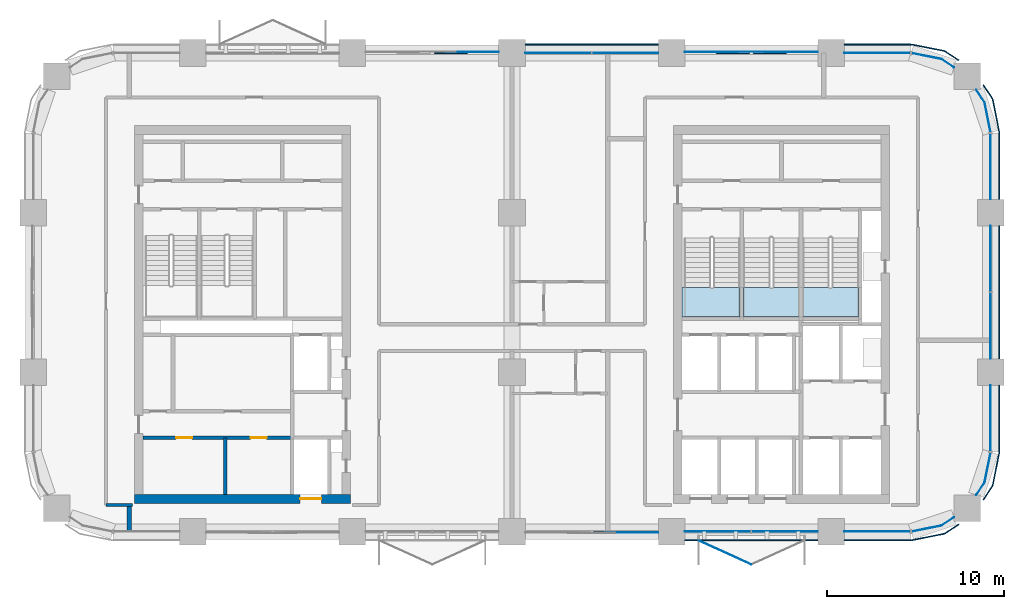
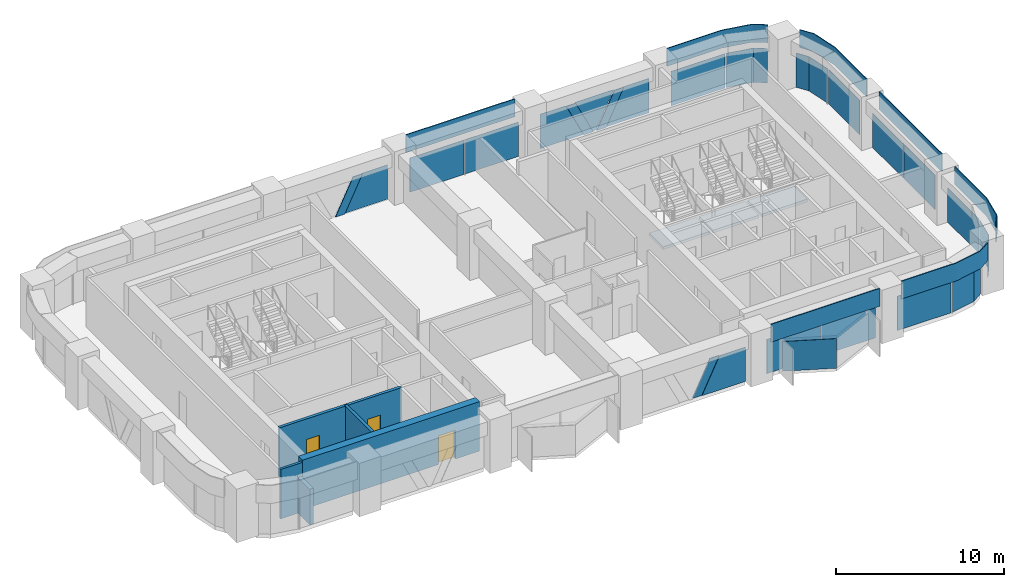
# One storey, part 7 of 13: 31 plates, 5 walls, 3 doors, 3 slabs, 3 openings, 13 elements without a shape of their own.
"""IFC4 building model written with IfcOpenShell, lengths in metres."""

from ifc_helpers import new_model, si_unit, direction, frame, frame_2d, origin, origin_2d, place, context, subcontext, project, spatial, polyline, rectangle, outline, extrude, material, layer, layer_set, type_object, element, fill, aggregate, save


model = new_model("IFC4")

# Units and contexts
model_context = context("Model", 3, precision=1e-05, world=origin(), true_north=direction((0.0, 1.0)))
body_context = subcontext(model_context, "Body", "Model", "MODEL_VIEW")
ifc_project = project(units=[si_unit("LENGTHUNIT", "METRE"), si_unit("AREAUNIT", "SQUARE_METRE"), si_unit("VOLUMEUNIT", "CUBIC_METRE"), si_unit("PLANEANGLEUNIT", "RADIAN"), si_unit("MASSUNIT", "GRAM", prefix="KILO")], contexts=[model_context])

# Site, building, storey
site_placement = place(None, origin())
site = spatial("IfcSite", under=ifc_project, at=site_placement, CompositionType="ELEMENT")
building_placement = place(site_placement, origin())
building = spatial("IfcBuilding", under=site, at=building_placement, Name="Tessera Arch", CompositionType="ELEMENT")
storey_placement = place(building_placement, frame((0.0, 0.0, 189.5)))
storey = spatial("IfcBuildingStorey", under=building, at=storey_placement, Name="L45", CompositionType="ELEMENT", Elevation=189.5)

# Curtain wall, plates
ifc_material_1 = material(Name="CW1 curtain wall")
curtain_wall_type_1 = type_object("IfcCurtainWallType", Name="CW1 curtain wall", PredefinedType="NOTDEFINED", material=ifc_material_1)
curtain_wall_1_placement = place(storey_placement, origin())
curtain_wall_1 = element("IfcCurtainWall", 1, at=curtain_wall_1_placement, inside=storey, type_object=curtain_wall_type_1, Name="CW1 curtain wall E54.27/0 L45", PredefinedType="NOTDEFINED")
ifc_material_2 = material(Name="Clear low-e glass", Category="glass")
ifc_material_3 = material(Name="Clear low-e glass", Category="glass")
ifc_layer_1 = layer(ifc_material_3, 0.028076171875)
ifc_layer_set_1 = layer_set([ifc_layer_1], Name="CW1 glass panel")
plate_type_1 = type_object("IfcPlateType", Name="CW1 glass panel", PredefinedType="CURTAIN_PANEL", material=ifc_layer_set_1)
plate_1_placement = place(storey_placement, frame((54.0, 38.610107421875, 0.0), z_axis=(0.0, 0.0, 1.0), x_axis=(0.0, 1.0, 0.0)))
plate_1 = element("IfcPlate", 2, at=plate_1_placement, type_object=plate_type_1, material=ifc_material_2, Name="CW1 glass panel E54.27/0 1.1.1", PredefinedType="CURTAIN_PANEL", context=body_context, shape_type="SweptSolid", body=[
    extrude(rectangle(XDim=3.719970703125, YDim=0.028076171875, at=origin_2d()), origin(), (0.0, 0.0, 1.0), 2.5),
])
plate_2_placement = place(storey_placement, frame((54.0, 42.389892578125, 0.0), z_axis=(0.0, 0.0, 1.0), x_axis=(0.0, 1.0, 0.0)))
plate_2 = element("IfcPlate", 3, at=plate_2_placement, type_object=plate_type_1, material=ifc_material_2, Name="CW1 glass panel E54.27/0 1.2.1", PredefinedType="CURTAIN_PANEL", context=body_context, shape_type="SweptSolid", body=[
    extrude(rectangle(XDim=3.719970703125, YDim=0.028076171875, at=origin_2d()), origin(), (0.0, 0.0, 1.0), 2.5),
])

curtain_wall_2_placement = place(storey_placement, origin())
curtain_wall_2 = element("IfcCurtainWall", 4, at=curtain_wall_2_placement, inside=storey, type_object=curtain_wall_type_1, Name="CW1 curtain wall N54.0/2 L45", PredefinedType="NOTDEFINED")
plate_3_placement = place(storey_placement, frame((33.389892578125, 54.0, 0.0), z_axis=(0.0, 0.0, 1.0), x_axis=(-1.0, 0.0, 0.0)))
plate_3 = element("IfcPlate", 5, at=plate_3_placement, type_object=plate_type_1, material=ifc_material_2, Name="CW1 glass panel N54.0/2 1.1.1", PredefinedType="CURTAIN_PANEL", context=body_context, shape_type="SweptSolid", body=[
    extrude(rectangle(XDim=3.719970703125, YDim=0.028076171875, at=origin_2d()), origin(), (0.0, 0.0, 1.0), 2.5),
])
plate_4_placement = place(storey_placement, frame((29.610107421875, 54.0, 0.0), z_axis=(0.0, 0.0, 1.0), x_axis=(-1.0, 0.0, 0.0)))
plate_4 = element("IfcPlate", 6, at=plate_4_placement, type_object=plate_type_1, material=ifc_material_2, Name="CW1 glass panel N54.0/2 1.2.1", PredefinedType="CURTAIN_PANEL", context=body_context, shape_type="SweptSolid", body=[
    extrude(rectangle(XDim=3.719970703125, YDim=0.028076171875, at=origin_2d()), origin(), (0.0, 0.0, 1.0), 2.5),
])

curtain_wall_3_placement = place(storey_placement, origin())
curtain_wall_3 = element("IfcCurtainWall", 7, at=curtain_wall_3_placement, inside=storey, type_object=curtain_wall_type_1, Name="CW1 curtain wall S27.0/4 L45", PredefinedType="NOTDEFINED")
plate_5_placement = place(storey_placement, frame((38.610107421875, 27.0, 0.0), z_axis=(0.0, 0.0, 1.0), x_axis=(1.0, 0.0, 0.0)))
plate_5 = element("IfcPlate", 8, at=plate_5_placement, type_object=plate_type_1, material=ifc_material_2, Name="CW1 glass panel S27.0/4 1.1.1", PredefinedType="CURTAIN_PANEL", context=body_context, shape_type="SweptSolid", body=[
    extrude(rectangle(XDim=3.719970703125, YDim=0.028076171875, at=origin_2d()), origin(), (0.0, 0.0, 1.0), 2.5),
])
plate_6_placement = place(storey_placement, frame((42.389892578125, 27.0, 0.0), z_axis=(0.0, 0.0, 1.0), x_axis=(1.0, 0.0, 0.0)))
plate_6 = element("IfcPlate", 9, at=plate_6_placement, type_object=plate_type_1, material=ifc_material_2, Name="CW1 glass panel S27.0/4 1.2.1", PredefinedType="CURTAIN_PANEL", context=body_context, shape_type="SweptSolid", body=[
    extrude(rectangle(XDim=3.719970703125, YDim=0.028076171875, at=origin_2d()), origin(), (0.0, 0.0, 1.0), 2.5),
])

# Plate
ifc_material_4 = material(Name="Pale anodised aluminium panel", Category="aluminium")
ifc_layer_2 = layer(ifc_material_4, 0.06005859375)
ifc_layer_set_2 = layer_set([ifc_layer_2], Name="CW1 spandrel panel")
plate_type_2 = type_object("IfcPlateType", Name="CW1 spandrel panel", PredefinedType="CURTAIN_PANEL", material=ifc_layer_set_2)
plate_7_placement = place(storey_placement, frame((54.47998046875, 40.5, 2.60009765625), z_axis=(0.0, 0.0, 1.0), x_axis=(0.0, 1.0, 0.0)))
plate_7 = element("IfcPlate", 10, at=plate_7_placement, type_object=plate_type_2, Name="CW1 spandrel panel E54.27/0", PredefinedType="CURTAIN_PANEL", context=body_context, shape_type="SweptSolid", body=[
    extrude(rectangle(XDim=7.5, YDim=0.06005859375, at=origin_2d()), origin(), (0.0, 0.0, 1.0), 1.300048828125),
])

aggregate(curtain_wall_1, [plate_1, plate_2, plate_7])

plate_8_placement = place(storey_placement, frame((31.5, 54.47998046875, 2.60009765625), z_axis=(0.0, 0.0, 1.0), x_axis=(-1.0, 0.0, 0.0)))
plate_8 = element("IfcPlate", 11, at=plate_8_placement, type_object=plate_type_2, Name="CW1 spandrel panel N54.0/2", PredefinedType="CURTAIN_PANEL", context=body_context, shape_type="SweptSolid", body=[
    extrude(rectangle(XDim=7.5, YDim=0.06005859375, at=origin_2d()), origin(), (0.0, 0.0, 1.0), 1.300048828125),
])

aggregate(curtain_wall_2, [plate_3, plate_4, plate_8])

plate_9_placement = place(storey_placement, frame((40.5, 26.52001953125, 2.60009765625), z_axis=(0.0, 0.0, 1.0), x_axis=(1.0, 0.0, 0.0)))
plate_9 = element("IfcPlate", 12, at=plate_9_placement, type_object=plate_type_2, Name="CW1 spandrel panel S27.0/4", PredefinedType="CURTAIN_PANEL", context=body_context, shape_type="SweptSolid", body=[
    extrude(rectangle(XDim=7.5, YDim=0.06005859375, at=origin_2d()), origin(), (0.0, 0.0, 1.0), 1.300048828125),
])

aggregate(curtain_wall_3, [plate_5, plate_6, plate_9])

# Curtain wall, plates
ifc_material_5 = material(Name="CW2 curtain wall")
curtain_wall_type_2 = type_object("IfcCurtainWallType", Name="CW2 curtain wall", PredefinedType="NOTDEFINED", material=ifc_material_5)
curtain_wall_4_placement = place(storey_placement, origin())
curtain_wall_4 = element("IfcCurtainWall", 13, at=curtain_wall_4_placement, inside=storey, type_object=curtain_wall_type_2, Name="CW2 curtain wall E54.27/1 L45", PredefinedType="NOTDEFINED")
ifc_material_6 = material(Name="Clear low-e glass", Category="glass")
ifc_layer_3 = layer(ifc_material_6, 0.028076171875)
ifc_layer_set_3 = layer_set([ifc_layer_3], Name="CW2 glass panel")
plate_type_3 = type_object("IfcPlateType", Name="CW2 glass panel", PredefinedType="CURTAIN_PANEL", material=ifc_layer_set_3)
plate_10_placement = place(storey_placement, frame((54.0, 47.60498046875, 0.0), z_axis=(0.0, 0.0, 1.0), x_axis=(0.0, 1.0, 0.0)))
plate_10 = element("IfcPlate", 14, at=plate_10_placement, type_object=plate_type_3, material=ifc_material_2, Name="CW2 glass panel E54.27/1 1.1", PredefinedType="CURTAIN_PANEL", context=body_context, shape_type="SweptSolid", body=[
    extrude(rectangle(XDim=3.7099609375, YDim=0.028076171875, at=origin_2d()), origin(), (0.0, 0.0, 1.0), 2.5),
])
plate_11_placement = place(storey_placement, origin())
plate_11 = element("IfcPlate", 15, at=plate_11_placement, type_object=plate_type_3, material=ifc_material_2, Name="CW2 curved glass panel E54.27/1 2.1", PredefinedType="CURTAIN_PANEL", context=body_context, shape_type="SweptSolid", body=[
    extrude(outline(polyline([(53.644287109375, 51.216552734375), (53.978515625, 49.53662109375), (54.005859375, 49.5419921875), (53.670654296875, 51.2275390625), (53.19482421875, 51.939697265625), (53.17138671875, 51.92431640625), (53.644287109375, 51.216552734375)])), origin(), (0.0, 0.0, 1.0), 2.5),
])

curtain_wall_5_placement = place(storey_placement, origin())
curtain_wall_5 = element("IfcCurtainWall", 16, at=curtain_wall_5_placement, inside=storey, type_object=curtain_wall_type_2, Name="CW2 curtain wall N54.0/0 L45", PredefinedType="NOTDEFINED")
plate_12_placement = place(storey_placement, frame((47.60498046875, 54.0, 0.0), z_axis=(0.0, 0.0, 1.0), x_axis=(-1.0, 0.0, 0.0)))
plate_12 = element("IfcPlate", 17, at=plate_12_placement, type_object=plate_type_3, material=ifc_material_2, Name="CW2 glass panel N54.0/0 1.1", PredefinedType="CURTAIN_PANEL", context=body_context, shape_type="SweptSolid", body=[
    extrude(rectangle(XDim=3.7099609375, YDim=0.028076171875, at=origin_2d()), origin(), (0.0, 0.0, 1.0), 2.5),
])
plate_13_placement = place(storey_placement, origin())
plate_13 = element("IfcPlate", 18, at=plate_13_placement, type_object=plate_type_3, material=ifc_material_2, Name="CW2 curved glass panel N54.0/0 2.1", PredefinedType="CURTAIN_PANEL", context=body_context, shape_type="SweptSolid", body=[
    extrude(outline(polyline([(51.216552734375, 53.644287109375), (51.92431640625, 53.17138671875), (51.939697265625, 53.19482421875), (51.2275390625, 53.670654296875), (49.5419921875, 54.005859375), (49.53662109375, 53.978515625), (51.216552734375, 53.644287109375)])), origin(), (0.0, 0.0, 1.0), 2.5),
])

curtain_wall_6_placement = place(storey_placement, origin())
curtain_wall_6 = element("IfcCurtainWall", 19, at=curtain_wall_6_placement, inside=storey, type_object=curtain_wall_type_2, Name="CW2 curtain wall S27.0/5 L45", PredefinedType="NOTDEFINED")
plate_14_placement = place(storey_placement, frame((47.60498046875, 27.0, 0.0), z_axis=(0.0, 0.0, 1.0), x_axis=(1.0, 0.0, 0.0)))
plate_14 = element("IfcPlate", 20, at=plate_14_placement, type_object=plate_type_3, material=ifc_material_2, Name="CW2 glass panel S27.0/5 1.1", PredefinedType="CURTAIN_PANEL", context=body_context, shape_type="SweptSolid", body=[
    extrude(rectangle(XDim=3.7099609375, YDim=0.028076171875, at=origin_2d()), origin(), (0.0, 0.0, 1.0), 2.5),
])
plate_15_placement = place(storey_placement, origin())
plate_15 = element("IfcPlate", 21, at=plate_15_placement, type_object=plate_type_3, material=ifc_material_2, Name="CW2 curved glass panel S27.0/5 2.1", PredefinedType="CURTAIN_PANEL", context=body_context, shape_type="SweptSolid", body=[
    extrude(outline(polyline([(51.216552734375, 27.355712890625), (49.53662109375, 27.021484375), (49.5419921875, 26.994140625), (51.2275390625, 27.329345703125), (51.939697265625, 27.80517578125), (51.92431640625, 27.82861328125), (51.216552734375, 27.355712890625)])), origin(), (0.0, 0.0, 1.0), 2.5),
])

curtain_wall_7_placement = place(storey_placement, origin())
curtain_wall_7 = element("IfcCurtainWall", 22, at=curtain_wall_7_placement, inside=storey, type_object=curtain_wall_type_2, Name="CW2 curtain wall E54.27/2 L45", PredefinedType="NOTDEFINED")
plate_16_placement = place(storey_placement, frame((54.0, 33.39501953125, 0.0), z_axis=(0.0, 0.0, 1.0), x_axis=(0.0, 1.0, 0.0)))
plate_16 = element("IfcPlate", 23, at=plate_16_placement, type_object=plate_type_3, material=ifc_material_2, Name="CW2 glass panel E54.27/2 1.1", PredefinedType="CURTAIN_PANEL", context=body_context, shape_type="SweptSolid", body=[
    extrude(rectangle(XDim=3.7099609375, YDim=0.028076171875, at=origin_2d()), origin(), (0.0, 0.0, 1.0), 2.5),
])
plate_17_placement = place(storey_placement, origin())
plate_17 = element("IfcPlate", 24, at=plate_17_placement, type_object=plate_type_3, material=ifc_material_2, Name="CW2 curved glass panel E54.27/2 2.1", PredefinedType="CURTAIN_PANEL", context=body_context, shape_type="SweptSolid", body=[
    extrude(outline(polyline([(53.644287109375, 29.783447265625), (53.17138671875, 29.07568359375), (53.19482421875, 29.060302734375), (53.670654296875, 29.7724609375), (54.005859375, 31.4580078125), (53.978515625, 31.46337890625), (53.644287109375, 29.783447265625)])), origin(), (0.0, 0.0, 1.0), 2.5),
])

# Plate
ifc_material_7 = material(Name="Pale anodised aluminium panel", Category="aluminium")
ifc_layer_4 = layer(ifc_material_7, 0.06005859375)
ifc_layer_set_4 = layer_set([ifc_layer_4], Name="CW2 spandrel panel")
plate_type_4 = type_object("IfcPlateType", Name="CW2 spandrel panel", PredefinedType="CURTAIN_PANEL", material=ifc_layer_set_4)
plate_18_placement = place(storey_placement, frame((0.0, 0.0, 2.60009765625)))
plate_18 = element("IfcPlate", 25, at=plate_18_placement, type_object=plate_type_4, Name="CW2 spandrel panel E54.27/1", PredefinedType="CURTAIN_PANEL", context=body_context, shape_type="SweptSolid", body=[
    extrude(outline(polyline([(54.449951171875, 49.499267578125), (54.449951171875, 45.75), (54.510009765625, 45.75), (54.510009765625, 49.500732421875), (54.507568359375, 49.550048828125), (54.500244140625, 49.598876953125), (54.157470703125, 51.322265625), (54.1455078125, 51.3701171875), (54.128662109375, 51.417236328125), (54.107421875, 51.462646484375), (54.08203125, 51.5048828125), (53.607177734375, 52.21533203125), (53.55712890625, 52.18212890625), (54.03125, 51.47265625), (54.054443359375, 51.434326171875), (54.0732421875, 51.394287109375), (54.088134765625, 51.352783203125), (54.09912109375, 51.30908203125), (54.441162109375, 49.588623046875), (54.44775390625, 49.544189453125), (54.449951171875, 49.499267578125)])), origin(), (0.0, 0.0, 1.0), 1.2998046875),
])

aggregate(curtain_wall_4, [plate_10, plate_11, plate_18])

plate_19_placement = place(storey_placement, frame((0.0, 0.0, 2.60009765625)))
plate_19 = element("IfcPlate", 26, at=plate_19_placement, type_object=plate_type_4, Name="CW2 spandrel panel N54.0/0", PredefinedType="CURTAIN_PANEL", context=body_context, shape_type="SweptSolid", body=[
    extrude(outline(polyline([(51.47265625, 54.03125), (52.18212890625, 53.55712890625), (52.21533203125, 53.607177734375), (51.5048828125, 54.08203125), (51.462646484375, 54.107421875), (51.417236328125, 54.128662109375), (51.3701171875, 54.1455078125), (51.322265625, 54.157470703125), (49.598876953125, 54.500244140625), (49.550048828125, 54.507568359375), (49.500732421875, 54.510009765625), (45.75, 54.510009765625), (45.75, 54.449951171875), (49.499267578125, 54.449951171875), (49.544189453125, 54.44775390625), (49.588623046875, 54.441162109375), (51.30908203125, 54.09912109375), (51.352783203125, 54.088134765625), (51.394287109375, 54.0732421875), (51.434326171875, 54.054443359375), (51.47265625, 54.03125)])), origin(), (0.0, 0.0, 1.0), 1.2998046875),
])

aggregate(curtain_wall_5, [plate_12, plate_13, plate_19])

plate_20_placement = place(storey_placement, frame((0.0, 0.0, 2.60009765625)))
plate_20 = element("IfcPlate", 27, at=plate_20_placement, type_object=plate_type_4, Name="CW2 spandrel panel S27.0/5", PredefinedType="CURTAIN_PANEL", context=body_context, shape_type="SweptSolid", body=[
    extrude(outline(polyline([(49.499267578125, 26.550048828125), (45.75, 26.550048828125), (45.75, 26.489990234375), (49.500732421875, 26.489990234375), (49.550048828125, 26.492431640625), (49.598876953125, 26.499755859375), (51.322265625, 26.842529296875), (51.3701171875, 26.8544921875), (51.417236328125, 26.871337890625), (51.462646484375, 26.892578125), (51.5048828125, 26.91796875), (52.21533203125, 27.392822265625), (52.18212890625, 27.44287109375), (51.47265625, 26.96875), (51.434326171875, 26.945556640625), (51.394287109375, 26.9267578125), (51.352783203125, 26.911865234375), (51.30908203125, 26.90087890625), (49.588623046875, 26.558837890625), (49.544189453125, 26.55224609375), (49.499267578125, 26.550048828125)])), origin(), (0.0, 0.0, 1.0), 1.2998046875),
])

aggregate(curtain_wall_6, [plate_14, plate_15, plate_20])

plate_21_placement = place(storey_placement, frame((0.0, 0.0, 2.60009765625)))
plate_21 = element("IfcPlate", 28, at=plate_21_placement, type_object=plate_type_4, Name="CW2 spandrel panel E54.27/2", PredefinedType="CURTAIN_PANEL", context=body_context, shape_type="SweptSolid", body=[
    extrude(outline(polyline([(54.03125, 29.52734375), (53.55712890625, 28.81787109375), (53.607177734375, 28.78466796875), (54.08203125, 29.4951171875), (54.107421875, 29.537353515625), (54.128662109375, 29.582763671875), (54.1455078125, 29.6298828125), (54.157470703125, 29.677734375), (54.500244140625, 31.401123046875), (54.507568359375, 31.449951171875), (54.510009765625, 31.499267578125), (54.510009765625, 35.25), (54.449951171875, 35.25), (54.449951171875, 31.500732421875), (54.44775390625, 31.455810546875), (54.441162109375, 31.411376953125), (54.09912109375, 29.69091796875), (54.088134765625, 29.647216796875), (54.0732421875, 29.605712890625), (54.054443359375, 29.565673828125), (54.03125, 29.52734375)])), origin(), (0.0, 0.0, 1.0), 1.2998046875),
])

aggregate(curtain_wall_7, [plate_16, plate_17, plate_21])

# Curtain wall, plates
ifc_material_8 = material(Name="CW3 curtain wall")
curtain_wall_type_3 = type_object("IfcCurtainWallType", Name="CW3 curtain wall", PredefinedType="NOTDEFINED", material=ifc_material_8)
curtain_wall_8_placement = place(storey_placement, origin())
curtain_wall_8 = element("IfcCurtainWall", 29, at=curtain_wall_8_placement, inside=storey, type_object=curtain_wall_type_3, Name="CW3 curtain wall N54.0/1 L45", PredefinedType="NOTDEFINED")
ifc_material_9 = material(Name="Pale anodised aluminium panel", Category="aluminium")
ifc_layer_5 = layer(ifc_material_9, 0.06005859375)
ifc_layer_set_5 = layer_set([ifc_layer_5], Name="CW3 diagonal panel")
plate_type_5 = type_object("IfcPlateType", Name="CW3 diagonal panel", PredefinedType="CURTAIN_PANEL", material=ifc_layer_set_5)
plate_22_placement = place(storey_placement, frame((38.523193359375, 54.030029296875, 2.5), z_axis=(0.0, 1.0, 0.0), x_axis=(1.0, 0.0, 0.0)))
plate_22 = element("IfcPlate", 30, at=plate_22_placement, type_object=plate_type_5, Name="CW3 diagonal panel N54.0/1 1", PredefinedType="CURTAIN_PANEL", context=body_context, shape_type="SweptSolid", body=[
    extrude(outline(polyline([(0.0, 0.0), (0.641845703125, 0.0), (1.859375, 2.5), (1.217529296875, 2.5), (0.0, 0.0)])), origin(), (0.0, 0.0, -1.0), 0.06005859375),
])
plate_23_placement = place(storey_placement, frame((41.8349609375, 54.030029296875, 2.5), z_axis=(0.0, 1.0, 0.0), x_axis=(1.0, 0.0, 0.0)))
plate_23 = element("IfcPlate", 31, at=plate_23_placement, type_object=plate_type_5, Name="CW3 diagonal panel N54.0/1 2", PredefinedType="CURTAIN_PANEL", context=body_context, shape_type="SweptSolid", body=[
    extrude(outline(polyline([(0.0, 0.0), (0.641845703125, 0.0), (-0.57568359375, 2.5), (-1.217529296875, 2.5), (0.0, 0.0)])), origin(), (0.0, 0.0, -1.0), 0.06005859375),
])

# Curtain wall, plate
curtain_wall_9_placement = place(storey_placement, origin())
curtain_wall_9 = element("IfcCurtainWall", 32, at=curtain_wall_9_placement, inside=storey, type_object=curtain_wall_type_3, Name="CW3 curtain wall N54.0/3 L45", PredefinedType="NOTDEFINED")
plate_24_placement = place(storey_placement, frame((23.8349609375, 54.030029296875, 2.5), z_axis=(0.0, 1.0, 0.0), x_axis=(1.0, 0.0, 0.0)))
plate_24 = element("IfcPlate", 33, at=plate_24_placement, type_object=plate_type_5, Name="CW3 diagonal panel N54.0/3 2", PredefinedType="CURTAIN_PANEL", context=body_context, shape_type="SweptSolid", body=[
    extrude(outline(polyline([(0.0, 0.0), (0.641845703125, 0.0), (-0.57568359375, 2.5), (-1.217529296875, 2.5), (0.0, 0.0)])), origin(), (0.0, 0.0, -1.0), 0.06005859375),
])

curtain_wall_10_placement = place(storey_placement, origin())
curtain_wall_10 = element("IfcCurtainWall", 34, at=curtain_wall_10_placement, inside=storey, type_object=curtain_wall_type_3, Name="CW3 curtain wall S27.0/3 L45", PredefinedType="NOTDEFINED")
plate_25_placement = place(storey_placement, frame((33.476806640625, 26.969970703125, 2.5), z_axis=(0.0, -1.0, 0.0), x_axis=(-1.0, 0.0, 0.0)))
plate_25 = element("IfcPlate", 35, at=plate_25_placement, type_object=plate_type_5, Name="CW3 diagonal panel S27.0/3 1", PredefinedType="CURTAIN_PANEL", context=body_context, shape_type="SweptSolid", body=[
    extrude(outline(polyline([(0.0, 0.0), (0.641845703125, 0.0), (1.859375, 2.5), (1.217529296875, 2.5), (0.0, 0.0)])), origin(), (0.0, 0.0, -1.0), 0.06005859375),
])

# Plate
ifc_material_10 = material(Name="Clear low-e glass", Category="glass")
ifc_layer_6 = layer(ifc_material_10, 0.028076171875)
ifc_layer_set_6 = layer_set([ifc_layer_6], Name="CW3 glass panel")
plate_type_6 = type_object("IfcPlateType", Name="CW3 glass panel", PredefinedType="CURTAIN_PANEL", material=ifc_layer_set_6)
plate_26_placement = place(storey_placement, frame((44.25, 54.05810546875, 0.0), z_axis=(0.0, 1.0, 0.0), x_axis=(-1.0, 0.0, 0.0)))
plate_26 = element("IfcPlate", 36, at=plate_26_placement, type_object=plate_type_6, material=ifc_material_2, Name="CW3 triangulated glass panel N54.0/1 1", PredefinedType="CURTAIN_PANEL", context=body_context, shape_type="SweptSolid", body=[
    extrude(outline(polyline([(0.0, 0.0), (2.99072265625, 0.0), (1.773193359375, 2.5), (0.0, 2.5), (0.0, 0.0)])), origin(), (0.0, 0.0, -1.0), 0.028076171875),
])

plate_27_placement = place(storey_placement, frame((39.1650390625, 54.0859375, 2.5), z_axis=(0.0, 1.0, 0.0), x_axis=(1.0, 0.0, 0.0)))
plate_27 = element("IfcPlate", 37, at=plate_27_placement, type_object=plate_type_6, material=ifc_material_2, Name="CW3 triangulated glass panel N54.0/1 2", PredefinedType="CURTAIN_PANEL", context=body_context, shape_type="SweptSolid", body=[
    extrude(outline(polyline([(0.0, 0.0), (2.669921875, 0.0), (1.452392578125, 2.5), (1.217529296875, 2.5), (0.0, 0.0)])), origin(), (0.0, 0.0, -1.0), 0.028076171875),
])

plate_28_placement = place(storey_placement, frame((36.75, 54.05810546875, 2.5), z_axis=(0.0, 1.0, 0.0), x_axis=(1.0, 0.0, 0.0)))
plate_28 = element("IfcPlate", 38, at=plate_28_placement, type_object=plate_type_6, material=ifc_material_2, Name="CW3 triangulated glass panel N54.0/1 3", PredefinedType="CURTAIN_PANEL", context=body_context, shape_type="SweptSolid", body=[
    extrude(outline(polyline([(0.0, 0.0), (1.773193359375, 0.0), (2.99072265625, 2.5), (0.0, 2.5), (0.0, 0.0)])), origin(), (0.0, 0.0, -1.0), 0.028076171875),
])

aggregate(curtain_wall_8, [plate_26, plate_27, plate_28, plate_22, plate_23])

plate_29_placement = place(storey_placement, frame((26.25, 54.05810546875, 0.0), z_axis=(0.0, 1.0, 0.0), x_axis=(-1.0, 0.0, 0.0)))
plate_29 = element("IfcPlate", 39, at=plate_29_placement, type_object=plate_type_6, material=ifc_material_2, Name="CW3 triangulated glass panel N54.0/3 1", PredefinedType="CURTAIN_PANEL", context=body_context, shape_type="SweptSolid", body=[
    extrude(outline(polyline([(0.0, 0.0), (2.99072265625, 0.0), (1.773193359375, 2.5), (0.0, 2.5), (0.0, 0.0)])), origin(), (0.0, 0.0, -1.0), 0.028076171875),
])

aggregate(curtain_wall_9, [plate_29, plate_24])

plate_30_placement = place(storey_placement, frame((35.25, 26.94189453125, 2.5), z_axis=(0.0, -1.0, 0.0), x_axis=(-1.0, 0.0, 0.0)))
plate_30 = element("IfcPlate", 40, at=plate_30_placement, type_object=plate_type_6, material=ifc_material_2, Name="CW3 triangulated glass panel S27.0/3 3", PredefinedType="CURTAIN_PANEL", context=body_context, shape_type="SweptSolid", body=[
    extrude(outline(polyline([(0.0, 0.0), (1.773193359375, 0.0), (2.99072265625, 2.5), (0.0, 2.5), (0.0, 0.0)])), origin(), (0.0, 0.0, -1.0), 0.028076171875),
])

aggregate(curtain_wall_10, [plate_30, plate_25])

# Stair, slab
ifc_material_11 = material(Name="Concrete C40/50", Category="concrete")
stair_type = type_object("IfcStairType", Name="Dogleg stair 1520", PredefinedType="HALF_TURN_STAIR", material=ifc_material_11)
stair_1_placement = place(storey_placement, origin())
stair_1 = element("IfcStair", 41, at=stair_1_placement, inside=storey, type_object=stair_type, Name="L45 S1a", PredefinedType="HALF_TURN_STAIR")
ifc_material_12 = material(Name="Concrete C40/50", Category="concrete")
ifc_layer_7 = layer(ifc_material_12, 0.300048828125)
ifc_layer_set_7 = layer_set([ifc_layer_7], Name="Stair landing 300")
slab_type = type_object("IfcSlabType", Name="Stair landing 300", PredefinedType="LANDING", material=ifc_layer_set_7)
slab_1_placement = place(storey_placement, frame((0.0, 0.0, 1.75)))
slab_1 = element("IfcSlab", 42, at=slab_1_placement, type_object=slab_type, Name="S1a landing 1", PredefinedType="LANDING", context=body_context, shape_type="SweptSolid", body=[
    extrude(outline(polyline([(36.60009765625, 40.780029296875), (36.60009765625, 39.10009765625), (39.85009765625, 39.10009765625), (39.85009765625, 40.780029296875), (36.60009765625, 40.780029296875)])), origin(), (0.0, 0.0, 1.0), 0.199951171875),
])
aggregate(stair_1, [slab_1])

stair_2_placement = place(storey_placement, origin())
stair_2 = element("IfcStair", 43, at=stair_2_placement, inside=storey, type_object=stair_type, Name="L45 S1b", PredefinedType="HALF_TURN_STAIR")
slab_2_placement = place(storey_placement, frame((0.0, 0.0, 1.75)))
slab_2 = element("IfcSlab", 44, at=slab_2_placement, type_object=slab_type, Name="S1b landing 1", PredefinedType="LANDING", context=body_context, shape_type="SweptSolid", body=[
    extrude(outline(polyline([(40.050048828125, 40.780029296875), (40.050048828125, 39.10009765625), (43.199951171875, 39.10009765625), (43.199951171875, 40.780029296875), (40.050048828125, 40.780029296875)])), origin(), (0.0, 0.0, 1.0), 0.199951171875),
])
aggregate(stair_2, [slab_2])

stair_3_placement = place(storey_placement, origin())
stair_3 = element("IfcStair", 45, at=stair_3_placement, inside=storey, type_object=stair_type, Name="L45 S1c", PredefinedType="HALF_TURN_STAIR")
slab_3_placement = place(storey_placement, frame((0.0, 0.0, 1.75)))
slab_3 = element("IfcSlab", 46, at=slab_3_placement, type_object=slab_type, Name="S1c landing 1", PredefinedType="LANDING", context=body_context, shape_type="SweptSolid", body=[
    extrude(outline(polyline([(43.39990234375, 40.780029296875), (43.39990234375, 39.10009765625), (46.550048828125, 39.10009765625), (46.550048828125, 40.780029296875), (43.39990234375, 40.780029296875)])), origin(), (0.0, 0.0, 1.0), 0.199951171875),
])
aggregate(stair_3, [slab_3])

# Plate
ifc_material_13 = material(Name="Clear low-e glass", Category="glass")
ifc_layer_8 = layer(ifc_material_13, 0.028076171875)
ifc_layer_set_8 = layer_set([ifc_layer_8], Name="Window box glass facet")
plate_type_7 = type_object("IfcPlateType", Name="Window box glass facet", PredefinedType="SHEET", material=ifc_layer_set_8)
plate_31_placement = place(storey_placement, frame((39.02490234375, 25.820068359375, 0.22021484375), z_axis=(0.0, 0.0, 1.0), x_axis=(0.910472144558, -0.413570397858, 0.0)))
element("IfcPlate", 47, at=plate_31_placement, inside=storey, type_object=plate_type_7, Name="Window box S27.0/4.0 2x1 glass", PredefinedType="SHEET", context=body_context, shape_type="SweptSolid", body=[
    extrude(rectangle(XDim=3.239990234375, YDim=0.028076171875, at=origin_2d()), origin(), (0.0, 0.0, 1.0), 2.159912109375),
])

# Wall
ifc_material_14 = material(Name="Gypsum board on steel stud", Category="steel")
ifc_layer_9 = layer(ifc_material_14, 0.125)
ifc_layer_set_9 = layer_set([ifc_layer_9], Name="Core partition 125 EI 60")
wall_type_1 = type_object("IfcWallType", Name="Core partition 125 EI 60", PredefinedType="PARTITIONING", material=ifc_layer_set_9)
wall_1_placement = place(storey_placement, frame((10.820068359375, 29.10009765625, 0.0), z_axis=(0.0, 0.0, 1.0), x_axis=(0.0, 1.0, 0.0)))
element("IfcWall", 48, at=wall_1_placement, inside=storey, type_object=wall_type_1, Name="L45 C2 partition wall 5", PredefinedType="PARTITIONING", context=body_context, shape_type="SweptSolid", body=[
    extrude(rectangle(XDim=3.199951171875, YDim=0.199951171875, at=frame_2d((1.60009765625, 0.0))), origin(), (0.0, 0.0, 1.0), 3.60009765625),
])

# Wall, openings, doors
wall_2_placement = place(storey_placement, frame((6.199951171875, 32.300048828125, 0.0), z_axis=(0.0, 0.0, 1.0), x_axis=(1.0, 0.0, 0.0)))
wall_2 = element("IfcWall", 49, at=wall_2_placement, inside=storey, type_object=wall_type_1, Name="L45 C2 partition wall 15", PredefinedType="PARTITIONING", context=body_context, shape_type="SweptSolid", body=[
    extrude(rectangle(XDim=8.400146484375, YDim=0.199951171875, at=frame_2d((4.2001953125, 0.0))), origin(), (0.0, 0.0, 1.0), 3.60009765625),
])
opening_1_placement = place(wall_2_placement, frame((1.860107421875, 0.0, 0.0)))
opening_1 = element("IfcOpeningElement", 50, at=opening_1_placement, cuts=wall_2, Name="Opening L45-C34", PredefinedType="OPENING", context=body_context, shape_type="SweptSolid", body=[
    extrude(rectangle(XDim=0.89990234375, YDim=2.10009765625, at=frame_2d((0.449951171875, 1.050048828125))), frame((0.0, 0.10986328125, 0.0), z_axis=(0.0, -1.0, 0.0), x_axis=(1.0, 0.0, 0.0)), (0.0, 0.0, 1.0), 0.219970703125),
])
opening_2_placement = place(wall_2_placement, frame((6.06005859375, 0.0, 0.0)))
opening_2 = element("IfcOpeningElement", 51, at=opening_2_placement, cuts=wall_2, Name="Opening L45-C35", PredefinedType="OPENING", context=body_context, shape_type="SweptSolid", body=[
    extrude(rectangle(XDim=0.89990234375, YDim=2.10009765625, at=frame_2d((0.449951171875, 1.050048828125))), frame((0.0, 0.10986328125, 0.0), z_axis=(0.0, -1.0, 0.0), x_axis=(1.0, 0.0, 0.0)), (0.0, 0.0, 1.0), 0.219970703125),
])
ifc_material_15 = material(Name="Steel door leaf", Category="steel")
door_type_1 = type_object("IfcDoorType", Name="Store door FD30S 900 x 2100", OperationType="SINGLE_SWING_LEFT", PredefinedType="DOOR", material=ifc_material_15)
door_1_placement = place(opening_1_placement, origin())
door_1 = element("IfcDoor", 52, at=door_1_placement, inside=storey, type_object=door_type_1, Name="L45 C2 door 15 C34 type D09", OperationType="SINGLE_SWING_LEFT", OverallHeight=2.10009765625, OverallWidth=0.89990234375, PredefinedType="DOOR", context=body_context, shape_type="SweptSolid", body=[
    extrude(rectangle(XDim=0.89990234375, YDim=2.10009765625, at=frame_2d((0.449951171875, 1.050048828125))), frame((0.0, 0.02490234375, 0.0), z_axis=(0.0, -1.0, 0.0), x_axis=(1.0, 0.0, 0.0)), (0.0, 0.0, 1.0), 0.050048828125),
])
fill(opening_1, door_1)
door_2_placement = place(opening_2_placement, origin())
door_2 = element("IfcDoor", 53, at=door_2_placement, inside=storey, type_object=door_type_1, Name="L45 C2 door 16 C35 type D09", OperationType="SINGLE_SWING_RIGHT", OverallHeight=2.10009765625, OverallWidth=0.89990234375, PredefinedType="DOOR", context=body_context, shape_type="SweptSolid", body=[
    extrude(rectangle(XDim=0.89990234375, YDim=2.10009765625, at=frame_2d((0.449951171875, 1.050048828125))), frame((0.0, 0.02490234375, 0.0), z_axis=(0.0, -1.0, 0.0), x_axis=(1.0, 0.0, 0.0)), (0.0, 0.0, 1.0), 0.050048828125),
])
fill(opening_2, door_2)

# Wall, opening, door
ifc_material_16 = material(Name="Concrete C60/75", Category="concrete")
ifc_layer_10 = layer(ifc_material_16, 0.5)
ifc_layer_set_10 = layer_set([ifc_layer_10], Name="Core shell wall 500 C60-75")
wall_type_2 = type_object("IfcWallType", Name="Core shell wall 500 C60-75", PredefinedType="SHEAR", material=ifc_layer_set_10)
wall_3_placement = place(storey_placement, frame((5.699951171875, 28.85009765625, 0.0), z_axis=(0.0, 0.0, 1.0), x_axis=(1.0, 0.0, 0.0)))
wall_3 = element("IfcWall", 54, at=wall_3_placement, inside=storey, type_object=wall_type_2, Name="L45 C2 core wall S", PredefinedType="SHEAR", context=body_context, shape_type="SweptSolid", body=[
    extrude(rectangle(XDim=12.199951171875, YDim=0.5, at=frame_2d((6.10009765625, 0.0))), origin(), (0.0, 0.0, 1.0), 3.60009765625),
])
opening_3_placement = place(wall_3_placement, frame((9.35009765625, 0.0, 0.0)))
opening_3 = element("IfcOpeningElement", 55, at=opening_3_placement, cuts=wall_3, Name="Opening L45-C20", PredefinedType="OPENING", context=body_context, shape_type="SweptSolid", body=[
    extrude(rectangle(XDim=1.199951171875, YDim=2.10009765625, at=frame_2d((0.60009765625, 1.050048828125))), frame((0.0, 0.260009765625, 0.0), z_axis=(0.0, -1.0, 0.0), x_axis=(1.0, 0.0, 0.0)), (0.0, 0.0, 1.0), 0.52001953125),
])
ifc_material_17 = material(Name="Stainless steel AISI 304", Category="steel")
door_type_2 = type_object("IfcDoorType", Name="Sliding landing door 1200 x 2100", OperationType="SLIDING_TO_LEFT", PredefinedType="DOOR", material=ifc_material_17)
door_3_placement = place(opening_3_placement, origin())
door_3 = element("IfcDoor", 56, at=door_3_placement, inside=storey, type_object=door_type_2, Name="L45 HR7 lift landing door C20 type LD", OperationType="SLIDING_TO_LEFT", OverallHeight=2.10009765625, OverallWidth=1.199951171875, PredefinedType="DOOR", context=body_context, shape_type="SweptSolid", body=[
    extrude(rectangle(XDim=1.199951171875, YDim=2.10009765625, at=frame_2d((0.60009765625, 1.050048828125))), frame((0.0, 0.02490234375, 0.0), z_axis=(0.0, -1.0, 0.0), x_axis=(1.0, 0.0, 0.0)), (0.0, 0.0, 1.0), 0.050048828125),
])
fill(opening_3, door_3)

# Walls
ifc_material_18 = material(Name="Gypsum board on deep steel stud with mineral wool", Category="steel")
ifc_layer_11 = layer(ifc_material_18, 0.175048828125)
ifc_layer_set_11 = layer_set([ifc_layer_11], Name="Corridor wall 175 EI 60")
wall_type_3 = type_object("IfcWallType", Name="Corridor wall 175 EI 60", PredefinedType="PARTITIONING", material=ifc_layer_set_11)
wall_4_placement = place(storey_placement, frame((4.10009765625, 28.5, 0.0), z_axis=(0.0, 0.0, 1.0), x_axis=(1.0, 0.0, 0.0)))
element("IfcWall", 57, at=wall_4_placement, inside=storey, type_object=wall_type_3, Name="L45 partition 1", PredefinedType="PARTITIONING", context=body_context, shape_type="SweptSolid", body=[
    extrude(rectangle(XDim=1.5, YDim=0.175048828125, at=frame_2d((0.75, 0.0))), origin(), (0.0, 0.0, 1.0), 3.60009765625),
])
ifc_material_19 = material(Name="Double gypsum board on twin steel stud with acoustic mineral wool", Category="steel")
ifc_layer_12 = layer(ifc_material_19, 0.25)
ifc_layer_set_12 = layer_set([ifc_layer_12], Name="Party wall 250 EI 60")
wall_type_4 = type_object("IfcWallType", Name="Party wall 250 EI 60", PredefinedType="PARTITIONING", material=ifc_layer_set_12)
wall_5_placement = place(storey_placement, frame((5.39990234375, 27.0, 0.0), z_axis=(0.0, 0.0, 1.0), x_axis=(0.0, 1.0, 0.0)))
element("IfcWall", 58, at=wall_5_placement, inside=storey, type_object=wall_type_4, Name="L45 partition 19", PredefinedType="PARTITIONING", context=body_context, shape_type="SweptSolid", body=[
    extrude(rectangle(XDim=1.5, YDim=0.25, at=frame_2d((0.75, 0.0))), origin(), (0.0, 0.0, 1.0), 2.60009765625),
])

save(model, "model.ifc")
